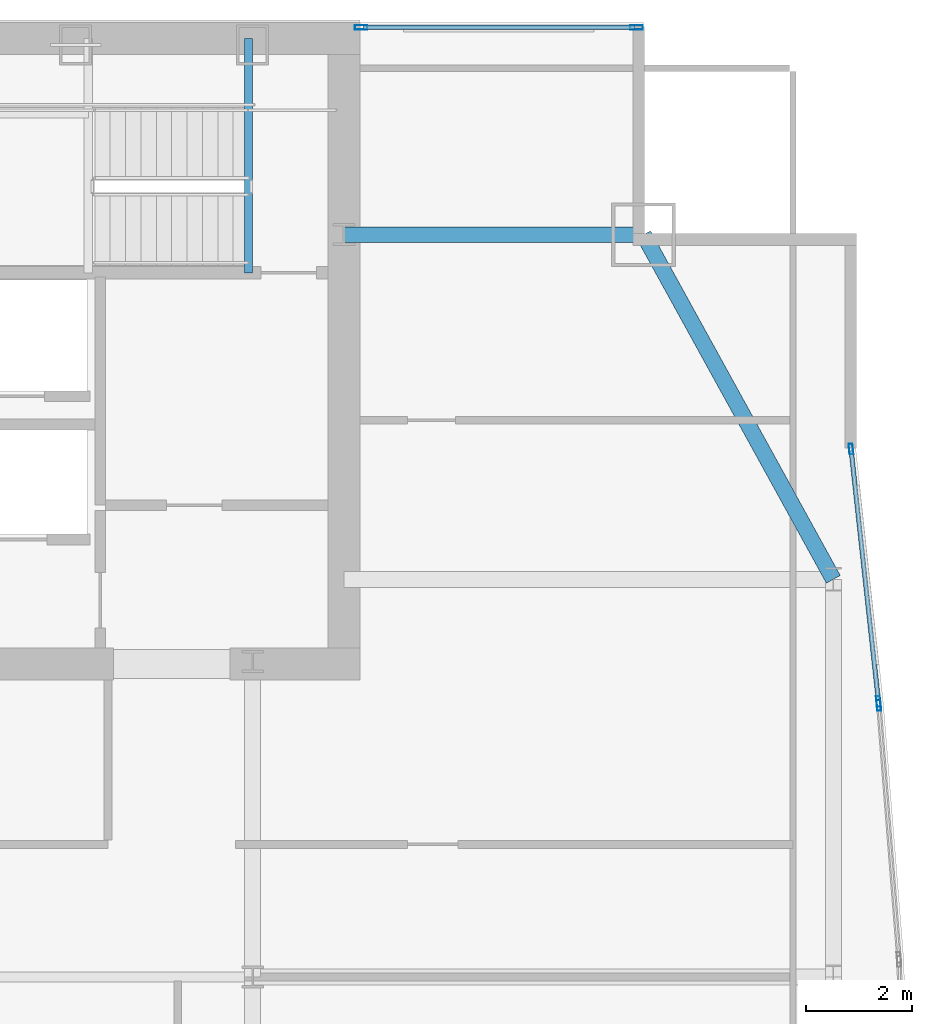
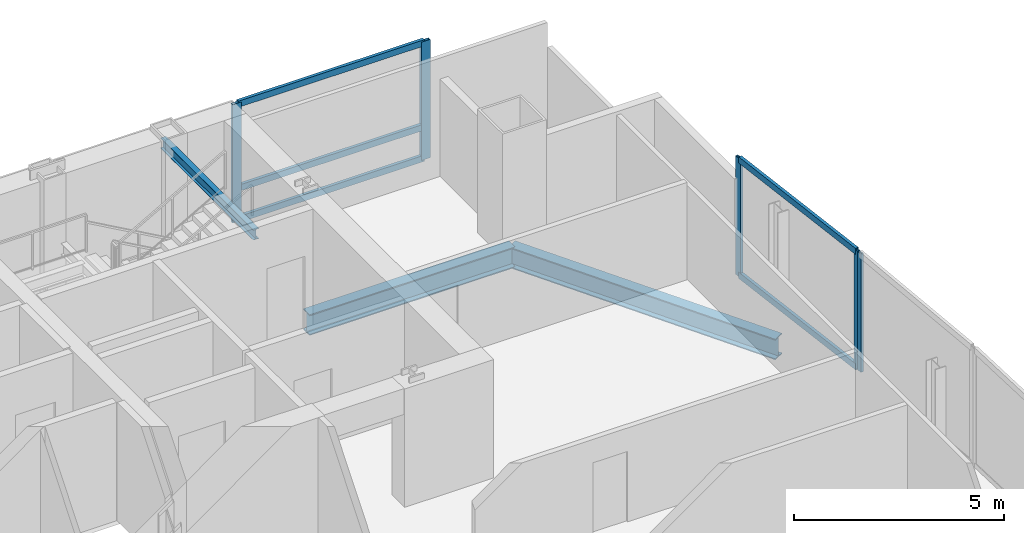
# One storey, part 25 of 32: 10 members, 3 beams, 3 elements without a shape of their own.
"""IFC4 building model written with IfcOpenShell, lengths in metres."""

from ifc_helpers import new_model, si_unit, direction, frame, origin, origin_2d, place, context, subcontext, project, spatial, hollow_rectangle, i_section, extrude, material, material_profile, profile_set, type_object, element, aggregate, save


model = new_model("IFC4")

# Units and contexts
model_context = context("Model", 3, precision=1e-05, world=origin(), true_north=direction((0.0, 1.0)))
body_context = subcontext(model_context, "Body", "Model", "MODEL_VIEW")
ifc_project = project(units=[si_unit("LENGTHUNIT", "METRE"), si_unit("AREAUNIT", "SQUARE_METRE"), si_unit("VOLUMEUNIT", "CUBIC_METRE"), si_unit("PLANEANGLEUNIT", "RADIAN"), si_unit("MASSUNIT", "GRAM", prefix="KILO")], contexts=[model_context])

# Site, building, storey
site_placement = place(None, origin())
site = spatial("IfcSite", under=ifc_project, at=site_placement, CompositionType="ELEMENT")
building_placement = place(site_placement, origin())
building = spatial("IfcBuilding", under=site, at=building_placement, Name="Khoronbel Lancet Exchange", CompositionType="ELEMENT")
storey_placement = place(building_placement, frame((0.0, 0.0, 195.800048828125)))
storey = spatial("IfcBuildingStorey", under=building, at=storey_placement, Name="L49", CompositionType="ELEMENT", Elevation=195.800048828125)

# Beams
ifc_material_1 = material(Name="Steel S355", Category="steel")
ifc_material_profile_1 = material_profile(ifc_material_1, i_section(OverallWidth=0.14990234375, OverallDepth=0.300048828125, WebThickness=0.007080078125, FlangeThickness=0.0107421875, at=origin_2d()), Name="IPE 300")
ifc_profile_set_1 = profile_set([ifc_material_profile_1], Name="Steel S355")
beam_type_1 = type_object("IfcBeamType", Name="BM-BJ8", PredefinedType="JOIST", material=ifc_profile_set_1)
beam_1_placement = place(storey_placement, frame((54.60009765625, 48.97998046875, 3.159912109375), z_axis=(0.0, 1.0, 0.0), x_axis=(-1.0, 0.0, 0.0)))
element("IfcBeam", 1, at=beam_1_placement, inside=storey, type_object=beam_type_1, Name="Level L49 stair ST2 upper-flight arrival trimmer beam", PredefinedType="JOIST", context=body_context, shape_type="SweptSolid", body=[
    extrude(i_section(OverallWidth=0.14990234375, OverallDepth=0.300048828125, WebThickness=0.007080078125, FlangeThickness=0.0107421875, at=origin_2d()), origin(), (0.0, 0.0, 1.0), 4.419921875),
])
ifc_material_profile_2 = material_profile(ifc_material_1, i_section(OverallWidth=0.300048828125, OverallDepth=0.60009765625, WebThickness=0.015380859375, FlangeThickness=0.030029296875, at=origin_2d()), Name="HEB 600")
ifc_profile_set_2 = profile_set([ifc_material_profile_2], Name="Steel S355")
beam_type_2 = type_object("IfcBeamType", Name="BM-BSP2", PredefinedType="SPANDREL", material=ifc_profile_set_2)
beam_2_placement = place(storey_placement, frame((65.6298828125, 43.199951171875, -0.4599609375), z_axis=(-0.482418808117, 0.875940690672, 0.0), x_axis=(-0.875940690672, -0.482418808117, 0.0)))
element("IfcBeam", 2, at=beam_2_placement, inside=storey, type_object=beam_type_2, Name="Level L49 perimeter spandrel beam SP15", PredefinedType="SPANDREL", context=body_context, shape_type="SweptSolid", body=[
    extrude(i_section(OverallWidth=0.300048828125, OverallDepth=0.60009765625, WebThickness=0.015380859375, FlangeThickness=0.030029296875, at=origin_2d()), origin(), (0.0, 0.0, 1.0), 7.420654296875),
])
beam_3_placement = place(storey_placement, frame((62.050048828125, 49.699951171875, -0.4599609375), z_axis=(-1.0, 0.0, 0.0), x_axis=(0.0, -1.0, 0.0)))
element("IfcBeam", 3, at=beam_3_placement, inside=storey, type_object=beam_type_2, Name="Level L49 north flank tie spandrel SP23", PredefinedType="SPANDREL", context=body_context, shape_type="SweptSolid", body=[
    extrude(i_section(OverallWidth=0.300048828125, OverallDepth=0.60009765625, WebThickness=0.015380859375, FlangeThickness=0.030029296875, at=origin_2d()), origin(), (0.0, 0.0, 1.0), 5.650146484375),
])

# Curtain wall, members
ifc_material_2 = material(Name="Low-E Solar Control Insulating Glass", Category="glass")
curtain_wall_type_1 = type_object("IfcCurtainWallType", Name="CW-3", PredefinedType="NOTDEFINED", material=ifc_material_2)
curtain_wall_1_placement = place(storey_placement, origin())
curtain_wall_1 = element("IfcCurtainWall", 4, at=curtain_wall_1_placement, inside=storey, type_object=curtain_wall_type_1, Name="Unitised curtain wall CW-L49-NEFLK", PredefinedType="NOTDEFINED")
ifc_material_3 = material(Name="Bronze-Anodised Aluminium 6063-T6", Category="aluminium")
ifc_material_profile_3 = material_profile(ifc_material_3, hollow_rectangle(XDim=0.0849609375, YDim=0.239990234375, WallThickness=0.006103515625, at=origin_2d()), Name="ALU MULLION 85x240")
ifc_profile_set_3 = profile_set([ifc_material_profile_3], Name="Bronze-Anodised Aluminium 6063-T6")
member_type_1 = type_object("IfcMemberType", Name="MEM-CWM1", PredefinedType="MULLION", material=ifc_profile_set_3)
member_1_placement = place(storey_placement, frame((61.91748046875, 53.610107421875, 0.0), z_axis=(0.0, 0.0, 1.0), x_axis=(0.0, -1.0, 0.0)))
member_1 = element("IfcMember", 5, at=member_1_placement, type_object=member_type_1, Name="CW3 mullion 1", PredefinedType="MULLION", context=body_context, shape_type="SweptSolid", body=[
    extrude(hollow_rectangle(XDim=0.0849609375, YDim=0.239990234375, WallThickness=0.006103515625, at=origin_2d()), origin(), (0.0, 0.0, 1.0), 3.43994140625),
])
member_2_placement = place(storey_placement, frame((56.722412109375, 53.610107421875, 0.0), z_axis=(0.0, 0.0, 1.0), x_axis=(0.0, -1.0, 0.0)))
member_2 = element("IfcMember", 6, at=member_2_placement, type_object=member_type_1, Name="CW3 mullion 2", PredefinedType="MULLION", context=body_context, shape_type="SweptSolid", body=[
    extrude(hollow_rectangle(XDim=0.0849609375, YDim=0.239990234375, WallThickness=0.006103515625, at=origin_2d()), origin(), (0.0, 0.0, 1.0), 3.43994140625),
])

curtain_wall_type_2 = type_object("IfcCurtainWallType", Name="CW-4", PredefinedType="NOTDEFINED", material=ifc_material_2)
curtain_wall_2_placement = place(storey_placement, origin())
curtain_wall_2 = element("IfcCurtainWall", 7, at=curtain_wall_2_placement, inside=storey, type_object=curtain_wall_type_2, Name="Unitised curtain wall CW-L49-E17", PredefinedType="NOTDEFINED")
ifc_material_profile_4 = material_profile(ifc_material_3, hollow_rectangle(XDim=0.074951171875, YDim=0.199951171875, WallThickness=0.0048828125, at=origin_2d()), Name="ALU MULLION 75x200")
ifc_profile_set_4 = profile_set([ifc_material_profile_4], Name="Bronze-Anodised Aluminium 6063-T6")
member_type_2 = type_object("IfcMemberType", Name="MEM-CWM2", PredefinedType="MULLION", material=ifc_profile_set_4)
member_3_placement = place(storey_placement, frame((65.964111328125, 45.65771484375, 0.0), z_axis=(0.0, 0.0, 1.0), x_axis=(0.994151948799, 0.107990289834, 0.0)))
member_3 = element("IfcMember", 8, at=member_3_placement, type_object=member_type_2, Name="CW4 mullion 1", PredefinedType="MULLION", context=body_context, shape_type="SweptSolid", body=[
    extrude(hollow_rectangle(XDim=0.074951171875, YDim=0.199951171875, WallThickness=0.0048828125, at=origin_2d()), origin(), (0.0, 0.0, 1.0), 3.43994140625),
])
member_4_placement = place(storey_placement, frame((66.4814453125, 40.8955078125, 0.0), z_axis=(0.0, 0.0, 1.0), x_axis=(0.994151948799, 0.107990289834, 0.0)))
member_4 = element("IfcMember", 9, at=member_4_placement, type_object=member_type_2, Name="CW4 mullion 2", PredefinedType="MULLION", context=body_context, shape_type="SweptSolid", body=[
    extrude(hollow_rectangle(XDim=0.074951171875, YDim=0.199951171875, WallThickness=0.0048828125, at=origin_2d()), origin(), (0.0, 0.0, 1.0), 3.43994140625),
])

# Curtain wall, member
curtain_wall_3_placement = place(storey_placement, origin())
curtain_wall_3 = element("IfcCurtainWall", 10, at=curtain_wall_3_placement, inside=storey, type_object=curtain_wall_type_2, Name="Unitised curtain wall CW-L49-E18", PredefinedType="NOTDEFINED")
member_5_placement = place(storey_placement, frame((66.48828125, 40.82080078125, 0.0), z_axis=(0.0, 0.0, 1.0), x_axis=(0.996854401909, 0.079254661653, 0.0)))
member_5 = element("IfcMember", 11, at=member_5_placement, type_object=member_type_2, Name="CW4 mullion 1", PredefinedType="MULLION", context=body_context, shape_type="SweptSolid", body=[
    extrude(hollow_rectangle(XDim=0.074951171875, YDim=0.199951171875, WallThickness=0.0048828125, at=origin_2d()), origin(), (0.0, 0.0, 1.0), 3.43994140625),
])
aggregate(curtain_wall_3, [member_5])

# Member
ifc_material_profile_5 = material_profile(ifc_material_3, hollow_rectangle(XDim=0.0849609375, YDim=0.179931640625, WallThickness=0.0048828125, at=origin_2d()), Name="ALU TRANSOM 85x180")
ifc_profile_set_5 = profile_set([ifc_material_profile_5], Name="Bronze-Anodised Aluminium 6063-T6")
member_type_3 = type_object("IfcMemberType", Name="MEM-CWT1", PredefinedType="USERDEFINED", material=ifc_profile_set_5)
member_6_placement = place(storey_placement, frame((61.875, 53.610107421875, 0.04248046875), z_axis=(-1.0, 0.0, 0.0), x_axis=(0.0, -1.0, 0.0)))
member_6 = element("IfcMember", 12, at=member_6_placement, type_object=member_type_3, Name="CW3 transom 1.1", ObjectType="TRANSOM", PredefinedType="USERDEFINED", context=body_context, shape_type="SweptSolid", body=[
    extrude(hollow_rectangle(XDim=0.0849609375, YDim=0.179931640625, WallThickness=0.0048828125, at=origin_2d()), origin(), (0.0, 0.0, 1.0), 5.110107421875),
])

member_7_placement = place(storey_placement, frame((61.875, 53.610107421875, 0.949951171875), z_axis=(-1.0, 0.0, 0.0), x_axis=(0.0, -1.0, 0.0)))
member_7 = element("IfcMember", 13, at=member_7_placement, type_object=member_type_3, Name="CW3 transom 1.2", ObjectType="TRANSOM", PredefinedType="USERDEFINED", context=body_context, shape_type="SweptSolid", body=[
    extrude(hollow_rectangle(XDim=0.0849609375, YDim=0.179931640625, WallThickness=0.0048828125, at=origin_2d()), origin(), (0.0, 0.0, 1.0), 5.110107421875),
])

member_8_placement = place(storey_placement, frame((61.875, 53.610107421875, 3.3974609375), z_axis=(-1.0, 0.0, 0.0), x_axis=(0.0, -1.0, 0.0)))
member_8 = element("IfcMember", 14, at=member_8_placement, type_object=member_type_3, Name="CW3 transom 1.3", ObjectType="TRANSOM", PredefinedType="USERDEFINED", context=body_context, shape_type="SweptSolid", body=[
    extrude(hollow_rectangle(XDim=0.0849609375, YDim=0.179931640625, WallThickness=0.0048828125, at=origin_2d()), origin(), (0.0, 0.0, 1.0), 5.110107421875),
])

aggregate(curtain_wall_1, [member_1, member_2, member_6, member_7, member_8])

member_9_placement = place(storey_placement, frame((65.968017578125, 45.62060546875, 0.04248046875), z_axis=(0.108004671949, -0.994150386429, 0.0), x_axis=(0.994150386429, 0.108004671949, 0.0)))
member_9 = element("IfcMember", 15, at=member_9_placement, type_object=member_type_3, Name="CW4 transom 1.1", ObjectType="TRANSOM", PredefinedType="USERDEFINED", context=body_context, shape_type="SweptSolid", body=[
    extrude(hollow_rectangle(XDim=0.0849609375, YDim=0.179931640625, WallThickness=0.0048828125, at=origin_2d()), origin(), (0.0, 0.0, 1.0), 4.71533203125),
])

member_10_placement = place(storey_placement, frame((65.968017578125, 45.62060546875, 3.3974609375), z_axis=(0.108004671949, -0.994150386429, 0.0), x_axis=(0.994150386429, 0.108004671949, 0.0)))
member_10 = element("IfcMember", 16, at=member_10_placement, type_object=member_type_3, Name="CW4 transom 1.2", ObjectType="TRANSOM", PredefinedType="USERDEFINED", context=body_context, shape_type="SweptSolid", body=[
    extrude(hollow_rectangle(XDim=0.0849609375, YDim=0.179931640625, WallThickness=0.0048828125, at=origin_2d()), origin(), (0.0, 0.0, 1.0), 4.71533203125),
])

aggregate(curtain_wall_2, [member_3, member_4, member_9, member_10])

save(model, "model.ifc")
